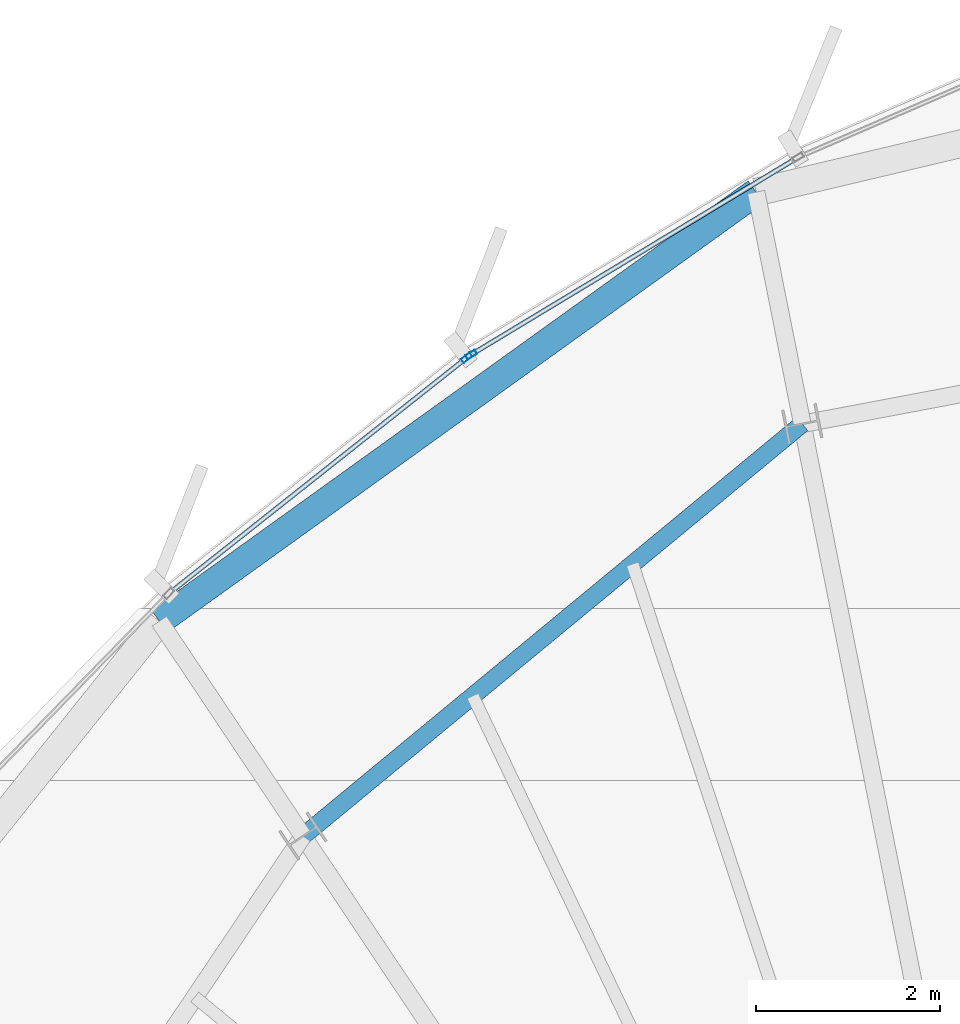
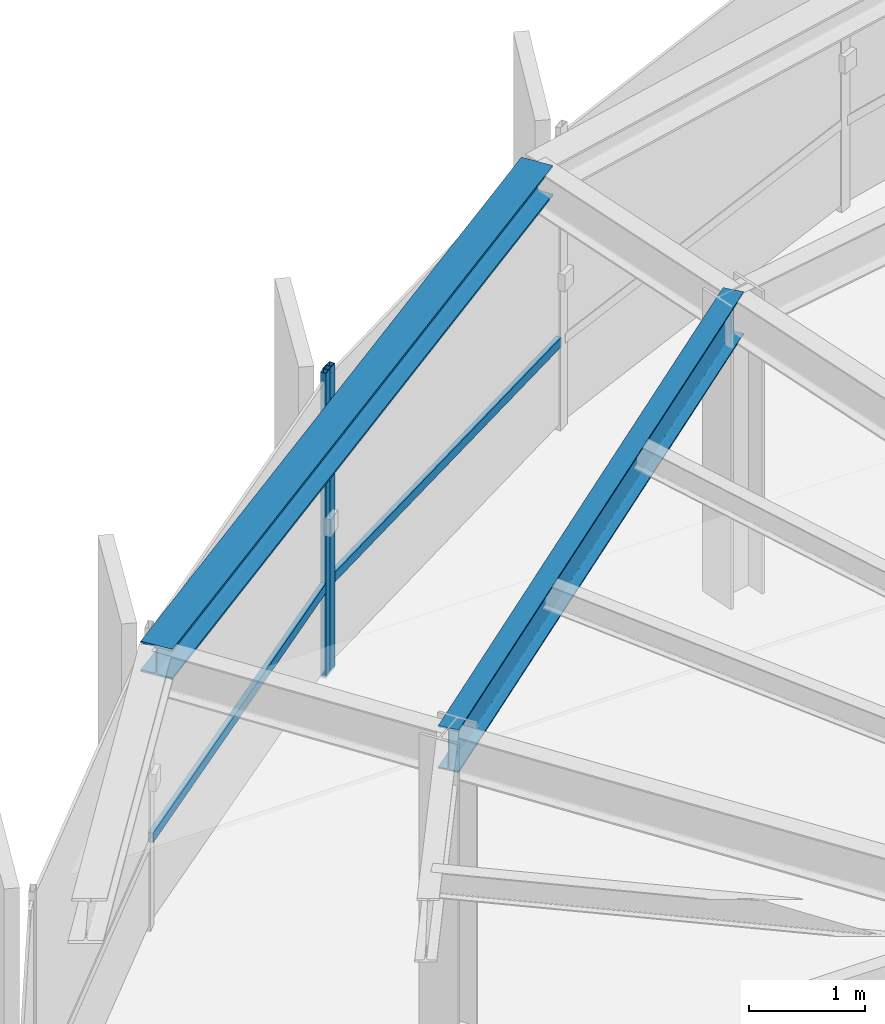
# One storey, part 19 of 33: 4 members, 2 beams, 2 elements without a shape of their own.
"""IFC4 building model written with IfcOpenShell, lengths in metres."""

from ifc_helpers import new_model, si_unit, direction, frame, origin, origin_2d, place, context, subcontext, project, spatial, hollow_rectangle, i_section, extrude, source, transform, mapped, material, layer, layer_set, material_profile, profile_set, type_object, element, aggregate, save


model = new_model("IFC4")

# Units and contexts
model_context = context("Model", 3, precision=1e-05, world=origin(), true_north=direction((0.0, 1.0)))
body_context = subcontext(model_context, "Body", "Model", "MODEL_VIEW")
ifc_project = project(units=[si_unit("LENGTHUNIT", "METRE"), si_unit("AREAUNIT", "SQUARE_METRE"), si_unit("VOLUMEUNIT", "CUBIC_METRE"), si_unit("PLANEANGLEUNIT", "RADIAN"), si_unit("MASSUNIT", "GRAM", prefix="KILO"), si_unit("THERMODYNAMICTEMPERATUREUNIT", "KELVIN")], contexts=[model_context])

# Site, building, storey
site_placement = place(None, origin())
site = spatial("IfcSite", under=ifc_project, at=site_placement, CompositionType="ELEMENT")
building_placement = place(site_placement, origin())
building = spatial("IfcBuilding", under=site, at=building_placement, Name="Kethvar Cultural Tower", CompositionType="ELEMENT")
storey_placement = place(building_placement, frame((0.0, 0.0, 266.35009765625)))
storey = spatial("IfcBuildingStorey", under=building, at=storey_placement, Name="L70", CompositionType="ELEMENT", Elevation=266.35009765625)

# Beams
ifc_material_1 = material(Name="Steel S355J2", Category="steel")
ifc_material_profile_1 = material_profile(ifc_material_1, i_section(OverallWidth=0.18994140625, OverallDepth=0.449951171875, WebThickness=0.009521484375, FlangeThickness=0.0146484375, FilletRadius=0.02099609375, at=origin_2d()), Name="Steel S355J2 — IPE450")
ifc_profile_set_1 = profile_set([ifc_material_profile_1], Name="Steel S355J2 — IPE450")
beam_type_1 = type_object("IfcBeamType", Name="BM-IPE450", PredefinedType="BEAM", material=ifc_profile_set_1)
shared_shape_1 = source(origin(), body_context, "Body", "SweptSolid", [
    extrude(i_section(OverallWidth=0.18994140625, OverallDepth=0.449951171875, WebThickness=0.009521484375, FlangeThickness=0.0146484375, FilletRadius=0.02099609375, at=origin_2d()), origin(), (0.0, 0.0, 1.0), 7.03271484375),
])
beam_1_placement = place(storey_placement, frame((43.23291015625, 45.732421875, 2.98291015625), z_axis=(-0.771161072103, -0.636640087391, 0.0), x_axis=(0.636640087391, -0.771161072103, 0.0)))
element("IfcBeam", 1, at=beam_1_placement, inside=storey, type_object=beam_type_1, Name="L70 Column Ring Tie Beam CR-05", PredefinedType="BEAM", context=body_context, shape_type="MappedRepresentation", body=[
    mapped(shared_shape_1, transform((0.0, 0.0, 0.0), scale=1.0)),
])
ifc_material_profile_2 = material_profile(ifc_material_1, i_section(OverallWidth=0.300048828125, OverallDepth=0.320068359375, WebThickness=0.011474609375, FlangeThickness=0.0205078125, FilletRadius=0.027099609375, at=origin_2d()), Name="Steel S355J2 — HEB320")
ifc_profile_set_2 = profile_set([ifc_material_profile_2], Name="Steel S355J2 — HEB320")
beam_type_2 = type_object("IfcBeamType", Name="BM-SP320", PredefinedType="SPANDREL", material=ifc_profile_set_2)
shared_shape_2 = source(origin(), body_context, "Body", "SweptSolid", [
    extrude(i_section(OverallWidth=0.300048828125, OverallDepth=0.320068359375, WebThickness=0.011474609375, FlangeThickness=0.0205078125, FilletRadius=0.027099609375, at=origin_2d()), origin(), (0.0, 0.0, 1.0), 7.983642578125),
])
beam_2_placement = place(storey_placement, frame((42.732421875, 48.24951171875, 3.0478515625), z_axis=(-0.811921613313, -0.583766472003, 0.0), x_axis=(0.583766472003, -0.811921613313, 0.0)))
element("IfcBeam", 2, at=beam_2_placement, inside=storey, type_object=beam_type_2, Name="L70 Perimeter Spandrel Beam SP-05", PredefinedType="SPANDREL", context=body_context, shape_type="MappedRepresentation", body=[
    mapped(shared_shape_2, transform((0.0, 0.0, 0.0), scale=1.0)),
])

# Curtain wall, member
ifc_material_2 = material(Name="Aluminium 6063-T6", Category="aluminium")
ifc_layer = layer(ifc_material_2, 0.179931640625, Name="Aluminium 6063-T6", Category="aluminium")
ifc_layer_set = layer_set([ifc_layer], Name="Aluminium 6063-T6 (180 mm)")
curtain_wall_type = type_object("IfcCurtainWallType", Name="CW-SYS-05-Z56", PredefinedType="NOTDEFINED", material=ifc_layer_set)
curtain_wall_1_placement = place(storey_placement, origin())
curtain_wall_1 = element("IfcCurtainWall", 3, at=curtain_wall_1_placement, inside=storey, type_object=curtain_wall_type, Name="L70 Curtain Wall Run 01", PredefinedType="NOTDEFINED")
ifc_material_profile_3 = material_profile(ifc_material_2, hollow_rectangle(XDim=0.054931640625, YDim=0.1201171875, WallThickness=0.00390625, at=origin_2d()), Name="Aluminium 6063-T6 — RHS120x55x4")
ifc_profile_set_3 = profile_set([ifc_material_profile_3], Name="Aluminium 6063-T6 — RHS120x55x4")
member_type_1 = type_object("IfcMemberType", Name="CW-SYS-05-Z56-MUL", PredefinedType="MULLION", material=ifc_profile_set_3)
shared_shape_3 = source(origin(), body_context, "Body", "SweptSolid", [
    extrude(hollow_rectangle(XDim=0.054931640625, YDim=0.1201171875, WallThickness=0.00390625, at=origin_2d()), origin(), (0.0, 0.0, 1.0), 3.2099609375),
])
member_1_placement = place(storey_placement, frame((39.63720703125, 46.484619140625, 0.0), z_axis=(0.0, 0.0, 1.0), x_axis=(0.516772423602, -0.856122807899, 0.0)))
member_1 = element("IfcMember", 4, at=member_1_placement, type_object=member_type_1, Name="CW-L70-R01 Mullion 7", PredefinedType="MULLION", context=body_context, shape_type="MappedRepresentation", body=[
    mapped(shared_shape_3, transform((0.0, 0.0, 0.0), scale=1.0)),
])

curtain_wall_2_placement = place(storey_placement, origin())
curtain_wall_2 = element("IfcCurtainWall", 5, at=curtain_wall_2_placement, inside=storey, type_object=curtain_wall_type, Name="L70 Curtain Wall Run 02", PredefinedType="NOTDEFINED")
member_2_placement = place(storey_placement, frame((39.5888671875, 46.450927734375, 0.0), z_axis=(0.0, 0.0, 1.0), x_axis=(0.620846817811, -0.783931903174, 0.0)))
member_2 = element("IfcMember", 6, at=member_2_placement, type_object=member_type_1, Name="CW-L70-R02 Mullion 1", PredefinedType="MULLION", context=body_context, shape_type="MappedRepresentation", body=[
    mapped(shared_shape_3, transform((0.0, 0.0, 0.0), scale=1.0)),
])

# Member
ifc_material_profile_4 = material_profile(ifc_material_2, hollow_rectangle(XDim=0.050048828125, YDim=0.10009765625, WallThickness=0.00390625, at=origin_2d()), Name="Aluminium 6063-T6 — RHS100x50x4")
ifc_profile_set_4 = profile_set([ifc_material_profile_4], Name="Aluminium 6063-T6 — RHS100x50x4")
member_type_2 = type_object("IfcMemberType", Name="CW-SYS-05-Z56-TRN", PredefinedType="USERDEFINED", material=ifc_profile_set_4)
shared_shape_4 = source(origin(), body_context, "Body", "SweptSolid", [
    extrude(hollow_rectangle(XDim=0.050048828125, YDim=0.10009765625, WallThickness=0.00390625, at=origin_2d()), origin(), (0.0, 0.0, 1.0), 4.10546875),
])
member_3_placement = place(storey_placement, frame((43.1552734375, 48.60791015625, 0.949951171875), z_axis=(-0.85615727129, -0.516715324737, 0.0), x_axis=(0.516715324737, -0.85615727129, 0.0)))
member_3 = element("IfcMember", 7, at=member_3_placement, type_object=member_type_2, Name="CW-L70-R01 Transom 6", ObjectType="TRANSOM", PredefinedType="USERDEFINED", context=body_context, shape_type="MappedRepresentation", body=[
    mapped(shared_shape_4, transform((0.0, 0.0, 0.0), scale=1.0)),
])

aggregate(curtain_wall_1, [member_1, member_3])

shared_shape_5 = source(origin(), body_context, "Body", "SweptSolid", [
    extrude(hollow_rectangle(XDim=0.050048828125, YDim=0.10009765625, WallThickness=0.00390625, at=origin_2d()), origin(), (0.0, 0.0, 1.0), 4.097412109375),
])
member_4_placement = place(storey_placement, frame((39.585693359375, 46.448486328125, 0.949951171875), z_axis=(-0.783957615735, -0.62081434965, 0.0), x_axis=(0.62081434965, -0.783957615735, 0.0)))
member_4 = element("IfcMember", 8, at=member_4_placement, type_object=member_type_2, Name="CW-L70-R02 Transom 1", ObjectType="TRANSOM", PredefinedType="USERDEFINED", context=body_context, shape_type="MappedRepresentation", body=[
    mapped(shared_shape_5, transform((0.0, 0.0, 0.0), scale=1.0)),
])

aggregate(curtain_wall_2, [member_2, member_4])

save(model, "model.ifc")
